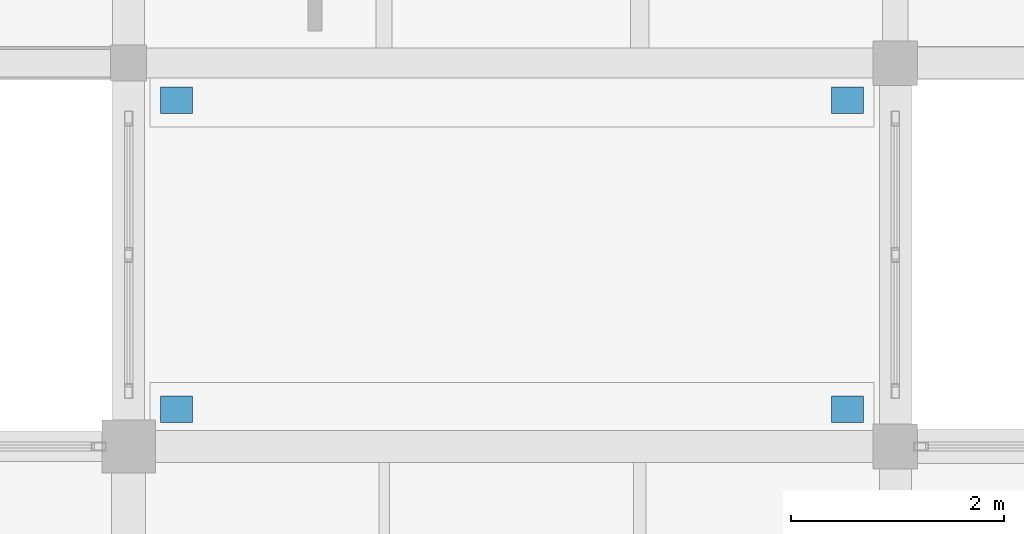
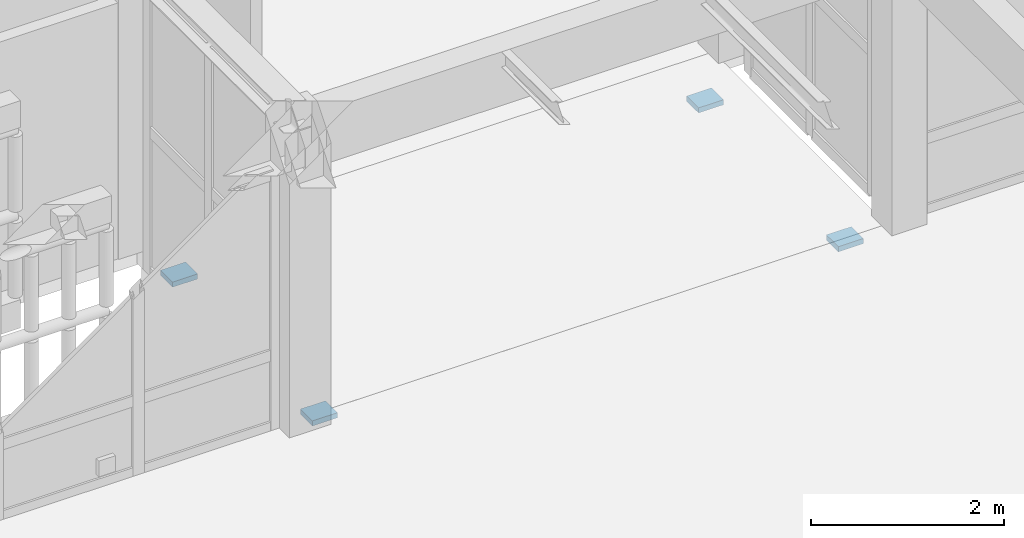
# One storey, part 196 of 217: 4 discrete accessories.
"""IFC4 building model written with IfcOpenShell, lengths in metres."""

from ifc_helpers import new_model, si_unit, direction, frame, origin, origin_2d, place, context, subcontext, project, spatial, rectangle, extrude, material, type_object, element, save


model = new_model("IFC4")

# Units and contexts
model_context = context("Model", 3, precision=1e-05, world=origin(), true_north=direction((0.0, 1.0)))
body_context = subcontext(model_context, "Body", "Model", "MODEL_VIEW")
ifc_project = project(units=[si_unit("LENGTHUNIT", "METRE"), si_unit("AREAUNIT", "SQUARE_METRE"), si_unit("VOLUMEUNIT", "CUBIC_METRE"), si_unit("PLANEANGLEUNIT", "RADIAN"), si_unit("MASSUNIT", "GRAM", prefix="KILO")], contexts=[model_context])

# Site, building, storey
site_placement = place(None, origin())
site = spatial("IfcSite", under=ifc_project, at=site_placement, CompositionType="ELEMENT")
building_placement = place(site_placement, origin())
building = spatial("IfcBuilding", under=site, at=building_placement, Name="Mazaris Harbour Polytechnic", CompositionType="ELEMENT")
storey_placement = place(building_placement, frame((0.0, 0.0, 9.60009765625)))
storey = spatial("IfcBuildingStorey", under=building, at=storey_placement, Name="L02", CompositionType="ELEMENT", Elevation=9.60009765625)

# Discrete accessories
ifc_material = material(Name="Steel S355", Category="steel")
discrete_accessory_type = type_object("IfcDiscreteAccessoryType", Name="PTFE Sliding Bridge Bearing 300x250x65 Exterior", PredefinedType="BRACKET", material=ifc_material)
for number, where, z_axis, x_axis, name in (
    (1, (130.050048828125, 43.550048828125, -0.330078125), (0.0, 0.0, 1.0), (1.0, 0.0, 0.0), "PB-NE L02 PTFE Sliding Bearing S1"),
    (2, (136.35009765625, 43.550048828125, -0.330078125), (0.0, 0.0, 1.0), (1.0, 0.0, 0.0), "PB-NE L02 PTFE Sliding Bearing S2"),
    (3, (130.050048828125, 46.449951171875, -0.330078125), (0.0, 0.0, 1.0), (1.0, 0.0, 0.0), "PB-NE L02 PTFE Sliding Bearing N1"),
    (4, (136.35009765625, 46.449951171875, -0.330078125), (0.0, 0.0, 1.0), (1.0, 0.0, 0.0), "PB-NE L02 PTFE Sliding Bearing N2"),
):
    element("IfcDiscreteAccessory", number, at=place(storey_placement, frame(where, z_axis=z_axis, x_axis=x_axis)), inside=storey, type_object=discrete_accessory_type, Name=name, PredefinedType="BRACKET", context=body_context, shape_type="SweptSolid", body=[
        extrude(rectangle(XDim=0.300048828125, YDim=0.25, at=origin_2d()), origin(), (0.0, 0.0, 1.0), 0.06494140625),
    ])

save(model, "model.ifc")
